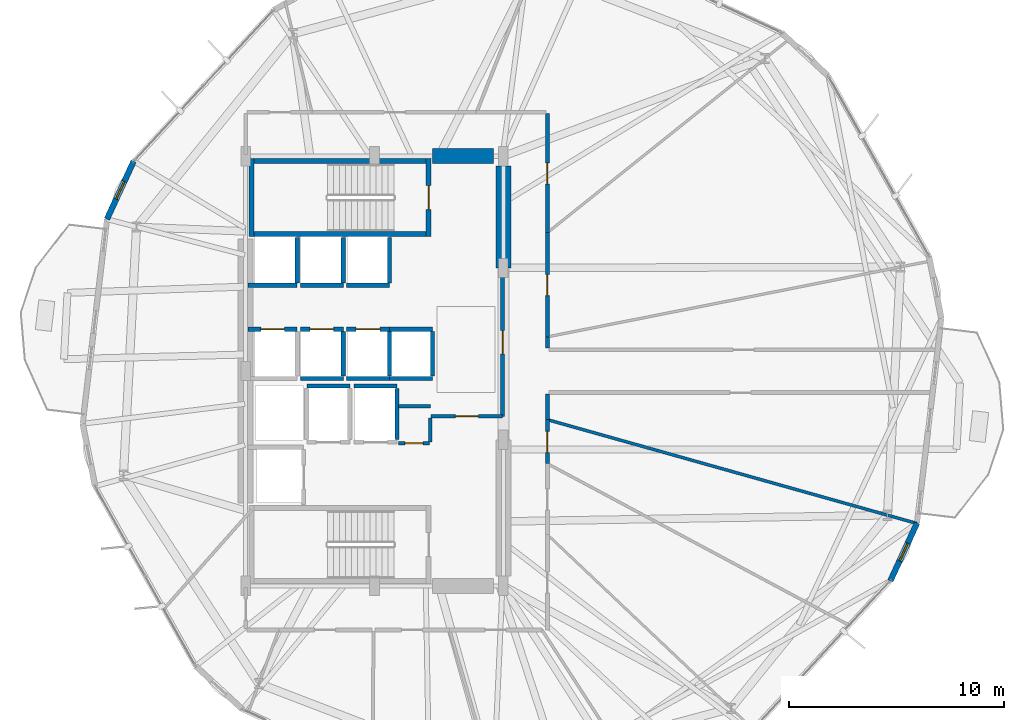
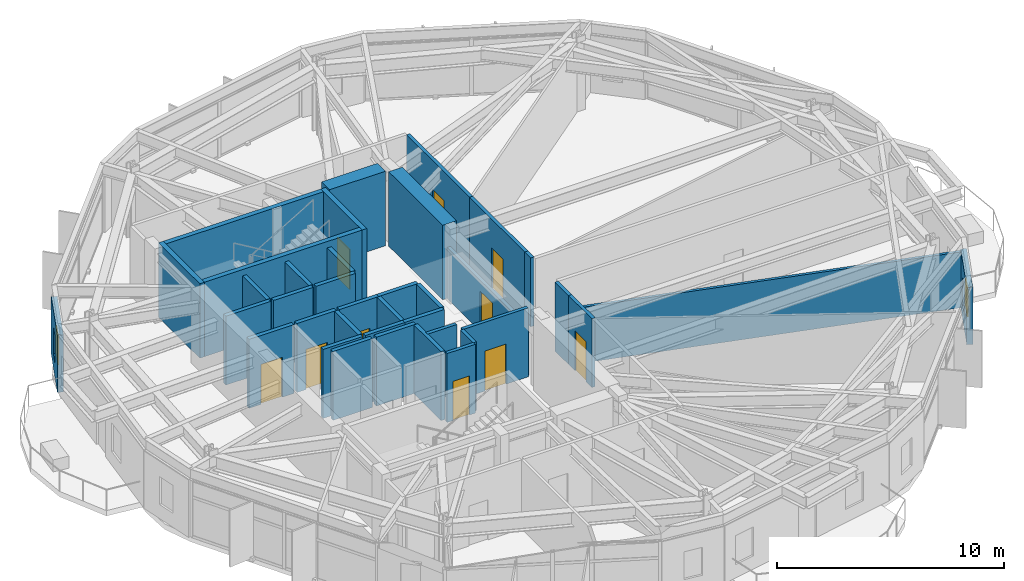
# One storey, part 18 of 22: 38 walls, 10 doors, 2 windows, 12 openings.
"""IFC4 building model written with IfcOpenShell, lengths in metres."""

from ifc_helpers import new_model, si_unit, direction, frame, frame_2d, origin, place, context, subcontext, project, spatial, rectangle, extrude, material, layer, layer_set, type_object, element, fill, save


model = new_model("IFC4")

# Units and contexts
model_context = context("Model", 3, precision=1e-05, world=origin(), true_north=direction((0.0, 1.0)))
body_context = subcontext(model_context, "Body", "Model", "MODEL_VIEW")
ifc_project = project(units=[si_unit("LENGTHUNIT", "METRE"), si_unit("AREAUNIT", "SQUARE_METRE"), si_unit("VOLUMEUNIT", "CUBIC_METRE"), si_unit("PLANEANGLEUNIT", "RADIAN"), si_unit("MASSUNIT", "GRAM", prefix="KILO")], contexts=[model_context])

# Site, building, storey
site_placement = place(None, origin())
site = spatial("IfcSite", under=ifc_project, at=site_placement, CompositionType="ELEMENT")
building_placement = place(site_placement, origin())
building = spatial("IfcBuilding", under=site, at=building_placement, Name="Soratama Intermodal Tower", CompositionType="ELEMENT")
storey_placement = place(building_placement, frame((0.0, 0.0, 70.60009765625)))
storey = spatial("IfcBuildingStorey", under=building, at=storey_placement, Name="L16", CompositionType="ELEMENT", Elevation=70.60009765625)

# Wall, opening, window
ifc_material_1 = material(Name="Concrete f'c 42 MPa", Category="concrete")
ifc_layer_1 = layer(ifc_material_1, 0.27001953125)
ifc_layer_set_1 = layer_set([ifc_layer_1], Name="Concrete f'c 42 MPa")
wall_type_1 = type_object("IfcWallType", Name="EW-CRN-270", PredefinedType="SOLIDWALL", material=ifc_layer_set_1)
wall_1_placement = place(storey_placement, frame((27.38916015625, 34.763671875, 0.0), z_axis=(0.0, 0.0, 1.0), x_axis=(-0.419146897393, -0.907918431582, 0.0)))
wall_1 = element("IfcWall", 1, at=wall_1_placement, inside=storey, type_object=wall_type_1, Name="L16 Corner Closure Wall 04", PredefinedType="SOLIDWALL", context=body_context, shape_type="SweptSolid", body=[
    extrude(rectangle(XDim=2.966552734375, YDim=0.27001953125, at=frame_2d((1.4833984375, 0.0))), origin(), (0.0, 0.0, 1.0), 3.078857421875),
])
opening_1_placement = place(wall_1_placement, frame((1.033203125, 0.0, 0.75)))
opening_1 = element("IfcOpeningElement", 2, at=opening_1_placement, cuts=wall_1, Name="Opening WN-6", PredefinedType="OPENING", context=body_context, shape_type="SweptSolid", body=[
    extrude(rectangle(XDim=0.89990234375, YDim=1.5, at=frame_2d((0.449951171875, 0.75))), frame((0.0, 0.14501953125, 0.0), z_axis=(0.0, -1.0, 0.0), x_axis=(1.0, 0.0, 0.0)), (0.0, 0.0, 1.0), 0.2900390625),
])
ifc_material_2 = material(Name="Double-glazed aluminium window", Category="aluminium")
window_type = type_object("IfcWindowType", Name="WN-FAC-900", PartitioningType="SINGLE_PANEL", PredefinedType="WINDOW", material=ifc_material_2)
window_1_placement = place(opening_1_placement, origin())
window_1 = element("IfcWindow", 3, at=window_1_placement, inside=storey, type_object=window_type, Name="L16 Corner Window 04", OverallHeight=1.5, OverallWidth=0.89990234375, PartitioningType="SINGLE_PANEL", PredefinedType="WINDOW", context=body_context, shape_type="SweptSolid", body=[
    extrude(rectangle(XDim=0.89990234375, YDim=1.5, at=frame_2d((0.449951171875, 0.75))), frame((0.0, 0.030029296875, 0.0), z_axis=(0.0, -1.0, 0.0), x_axis=(1.0, 0.0, 0.0)), (0.0, 0.0, 1.0), 0.06005859375),
])
fill(opening_1, window_1)

wall_2_placement = place(storey_placement, frame((62.61083984375, 15.236328125, 0.0), z_axis=(0.0, 0.0, 1.0), x_axis=(0.419146897393, 0.907918431582, 0.0)))
wall_2 = element("IfcWall", 4, at=wall_2_placement, inside=storey, type_object=wall_type_1, Name="L16 Corner Closure Wall 09", PredefinedType="SOLIDWALL", context=body_context, shape_type="SweptSolid", body=[
    extrude(rectangle(XDim=2.966552734375, YDim=0.27001953125, at=frame_2d((1.4833984375, 0.0))), origin(), (0.0, 0.0, 1.0), 3.078857421875),
])
opening_2_placement = place(wall_2_placement, frame((1.033203125, 0.0, 0.75)))
opening_2 = element("IfcOpeningElement", 5, at=opening_2_placement, cuts=wall_2, Name="Opening WN-6", PredefinedType="OPENING", context=body_context, shape_type="SweptSolid", body=[
    extrude(rectangle(XDim=0.89990234375, YDim=1.5, at=frame_2d((0.449951171875, 0.75))), frame((0.0, 0.14501953125, 0.0), z_axis=(0.0, -1.0, 0.0), x_axis=(1.0, 0.0, 0.0)), (0.0, 0.0, 1.0), 0.2900390625),
])
window_2_placement = place(opening_2_placement, origin())
window_2 = element("IfcWindow", 6, at=window_2_placement, inside=storey, type_object=window_type, Name="L16 Corner Window 09", OverallHeight=1.5, OverallWidth=0.89990234375, PartitioningType="SINGLE_PANEL", PredefinedType="WINDOW", context=body_context, shape_type="SweptSolid", body=[
    extrude(rectangle(XDim=0.89990234375, YDim=1.5, at=frame_2d((0.449951171875, 0.75))), frame((0.0, 0.030029296875, 0.0), z_axis=(0.0, -1.0, 0.0), x_axis=(1.0, 0.0, 0.0)), (0.0, 0.0, 1.0), 0.06005859375),
])
fill(opening_2, window_2)

# Wall, opening, door
ifc_material_3 = material(Name="Fire-rated gypsum stud partition", Category="concrete")
ifc_layer_2 = layer(ifc_material_3, 0.169921875)
ifc_layer_set_2 = layer_set([ifc_layer_2], Name="Fire-rated gypsum stud partition")
wall_type_2 = type_object("IfcWallType", Name="IW-PART-R170", PredefinedType="PARTITIONING", material=ifc_layer_set_2)
wall_3_placement = place(storey_placement, frame((44.56005859375, 29.800048828125, 0.0), z_axis=(0.0, 0.0, 1.0), x_axis=(0.0, -1.0, 0.0)))
wall_3 = element("IfcWall", 7, at=wall_3_placement, inside=storey, type_object=wall_type_2, Name="L16 Partition W-L16-TP012", PredefinedType="PARTITIONING", context=body_context, shape_type="SweptSolid", body=[
    extrude(rectangle(XDim=6.91015625, YDim=0.169921875, at=frame_2d((3.455078125, 0.0))), origin(), (0.0, 0.0, 1.0), 2.739990234375),
])
opening_3_placement = place(wall_3_placement, frame((2.9150390625, 0.0, 0.0)))
opening_3 = element("IfcOpeningElement", 8, at=opening_3_placement, cuts=wall_3, Name="Opening ID-1", PredefinedType="OPENING", context=body_context, shape_type="SweptSolid", body=[
    extrude(rectangle(XDim=1.080078125, YDim=2.14990234375, at=frame_2d((0.5400390625, 1.074951171875))), frame((0.0, 0.094970703125, 0.0), z_axis=(0.0, -1.0, 0.0), x_axis=(1.0, 0.0, 0.0)), (0.0, 0.0, 1.0), 0.18994140625),
])
ifc_material_4 = material(Name="Solid hardwood acoustic door", Category="wood")
door_type_1 = type_object("IfcDoorType", Name="DR-LOB-FD60", OperationType="NOTDEFINED", PredefinedType="DOOR", material=ifc_material_4)
door_1_placement = place(opening_3_placement, origin())
door_1 = element("IfcDoor", 9, at=door_1_placement, inside=storey, type_object=door_type_1, Name="L16 Door D-L16-TP004", OperationType="SINGLE_SWING_LEFT", OverallHeight=2.14990234375, OverallWidth=1.080078125, PredefinedType="DOOR", context=body_context, shape_type="SweptSolid", body=[
    extrude(rectangle(XDim=1.080078125, YDim=2.14990234375, at=frame_2d((0.5400390625, 1.074951171875))), frame((0.0, 0.02490234375, 0.0), z_axis=(0.0, -1.0, 0.0), x_axis=(1.0, 0.0, 0.0)), (0.0, 0.0, 1.0), 0.050048828125),
])
fill(opening_3, door_1)

wall_4_placement = place(storey_placement, frame((46.64990234375, 36.97998046875, 0.0), z_axis=(0.0, 0.0, 1.0), x_axis=(0.0, -1.0, 0.0)))
wall_4 = element("IfcWall", 10, at=wall_4_placement, inside=storey, type_object=wall_type_2, Name="L16 Partition W-L16-TP015", PredefinedType="PARTITIONING", context=body_context, shape_type="SweptSolid", body=[
    extrude(rectangle(XDim=5.5380859375, YDim=0.169921875, at=frame_2d((2.76904296875, 0.0))), origin(), (0.0, 0.0, 1.0), 3.699951171875),
])
opening_4_placement = place(wall_4_placement, frame((2.2939453125, 0.0, 0.0)))
opening_4 = element("IfcOpeningElement", 11, at=opening_4_placement, cuts=wall_4, Name="Opening ID-5", PredefinedType="OPENING", context=body_context, shape_type="SweptSolid", body=[
    extrude(rectangle(XDim=0.97998046875, YDim=2.14990234375, at=frame_2d((0.489990234375, 1.074951171875))), frame((0.0, 0.094970703125, 0.0), z_axis=(0.0, -1.0, 0.0), x_axis=(1.0, 0.0, 0.0)), (0.0, 0.0, 1.0), 0.18994140625),
])
ifc_material_5 = material(Name="Solid hardwood acoustic door", Category="wood")
door_type_2 = type_object("IfcDoorType", Name="DR-OFF-980", OperationType="NOTDEFINED", PredefinedType="DOOR", material=ifc_material_5)
door_2_placement = place(opening_4_placement, origin())
door_2 = element("IfcDoor", 12, at=door_2_placement, inside=storey, type_object=door_type_2, Name="L16 Door D-L16-TP005", OperationType="SINGLE_SWING_RIGHT", OverallHeight=2.14990234375, OverallWidth=0.97998046875, PredefinedType="DOOR", context=body_context, shape_type="SweptSolid", body=[
    extrude(rectangle(XDim=0.97998046875, YDim=2.14990234375, at=frame_2d((0.489990234375, 1.074951171875))), frame((0.0, 0.02490234375, 0.0), z_axis=(0.0, -1.0, 0.0), x_axis=(1.0, 0.0, 0.0)), (0.0, 0.0, 1.0), 0.050048828125),
])
fill(opening_4, door_2)

wall_5_placement = place(storey_placement, frame((46.64990234375, 31.44189453125, 0.0), z_axis=(0.0, 0.0, 1.0), x_axis=(0.0, -1.0, 0.0)))
wall_5 = element("IfcWall", 13, at=wall_5_placement, inside=storey, type_object=wall_type_2, Name="L16 Partition W-L16-TP017", PredefinedType="PARTITIONING", context=body_context, shape_type="SweptSolid", body=[
    extrude(rectangle(XDim=4.848876953125, YDim=0.169921875, at=frame_2d((2.42431640625, 0.0))), origin(), (0.0, 0.0, 1.0), 3.699951171875),
])
opening_5_placement = place(wall_5_placement, frame((1.949951171875, 0.0, 0.0)))
opening_5 = element("IfcOpeningElement", 14, at=opening_5_placement, cuts=wall_5, Name="Opening ID-5", PredefinedType="OPENING", context=body_context, shape_type="SweptSolid", body=[
    extrude(rectangle(XDim=0.97998046875, YDim=2.14990234375, at=frame_2d((0.489990234375, 1.074951171875))), frame((0.0, 0.094970703125, 0.0), z_axis=(0.0, -1.0, 0.0), x_axis=(1.0, 0.0, 0.0)), (0.0, 0.0, 1.0), 0.18994140625),
])
door_3_placement = place(opening_5_placement, origin())
door_3 = element("IfcDoor", 15, at=door_3_placement, inside=storey, type_object=door_type_2, Name="L16 Door D-L16-TP006", OperationType="SINGLE_SWING_LEFT", OverallHeight=2.14990234375, OverallWidth=0.97998046875, PredefinedType="DOOR", context=body_context, shape_type="SweptSolid", body=[
    extrude(rectangle(XDim=0.97998046875, YDim=2.14990234375, at=frame_2d((0.489990234375, 1.074951171875))), frame((0.0, 0.02490234375, 0.0), z_axis=(0.0, -1.0, 0.0), x_axis=(1.0, 0.0, 0.0)), (0.0, 0.0, 1.0), 0.050048828125),
])
fill(opening_5, door_3)

wall_6_placement = place(storey_placement, frame((41.239990234375, 22.889892578125, 0.0), z_axis=(0.0, 0.0, 1.0), x_axis=(1.0, 0.0, 0.0)))
wall_6 = element("IfcWall", 16, at=wall_6_placement, inside=storey, type_object=wall_type_2, Name="L16 Partition W-L16-TP023", PredefinedType="PARTITIONING", context=body_context, shape_type="SweptSolid", body=[
    extrude(rectangle(XDim=3.320068359375, YDim=0.169921875, at=frame_2d((1.66015625, 0.0))), origin(), (0.0, 0.0, 1.0), 3.699951171875),
])
opening_6_placement = place(wall_6_placement, frame((1.1201171875, 0.0, 0.0)))
opening_6 = element("IfcOpeningElement", 17, at=opening_6_placement, cuts=wall_6, Name="Opening ID-0", PredefinedType="OPENING", context=body_context, shape_type="SweptSolid", body=[
    extrude(rectangle(XDim=1.080078125, YDim=2.14990234375, at=frame_2d((0.5400390625, 1.074951171875))), frame((0.0, 0.094970703125, 0.0), z_axis=(0.0, -1.0, 0.0), x_axis=(1.0, 0.0, 0.0)), (0.0, 0.0, 1.0), 0.18994140625),
])
ifc_material_6 = material(Name="Solid hardwood acoustic door", Category="wood")
door_type_3 = type_object("IfcDoorType", Name="DR-LOB-FD90", OperationType="NOTDEFINED", PredefinedType="DOOR", material=ifc_material_6)
door_4_placement = place(opening_6_placement, origin())
door_4 = element("IfcDoor", 18, at=door_4_placement, inside=storey, type_object=door_type_3, Name="L16 Door D-L16-TP011", OperationType="SINGLE_SWING_RIGHT", OverallHeight=2.14990234375, OverallWidth=1.080078125, PredefinedType="DOOR", context=body_context, shape_type="SweptSolid", body=[
    extrude(rectangle(XDim=1.080078125, YDim=2.14990234375, at=frame_2d((0.5400390625, 1.074951171875))), frame((0.0, 0.02490234375, 0.0), z_axis=(0.0, -1.0, 0.0), x_axis=(1.0, 0.0, 0.0)), (0.0, 0.0, 1.0), 0.050048828125),
])
fill(opening_6, door_4)

wall_7_placement = place(storey_placement, frame((46.64990234375, 22.738037109375, 0.0), z_axis=(0.0, 0.0, 1.0), x_axis=(0.0, -1.0, 0.0)))
wall_7 = element("IfcWall", 19, at=wall_7_placement, inside=storey, type_object=wall_type_2, Name="L16 Partition W-L16-TP027", PredefinedType="PARTITIONING", context=body_context, shape_type="SweptSolid", body=[
    extrude(rectangle(XDim=2.049072265625, YDim=0.169921875, at=frame_2d((1.0244140625, 0.0))), origin(), (0.0, 0.0, 1.0), 3.699951171875),
])
opening_7_placement = place(wall_7_placement, frame((0.549072265625, 0.0, 0.0)))
opening_7 = element("IfcOpeningElement", 20, at=opening_7_placement, cuts=wall_7, Name="Opening ID-5", PredefinedType="OPENING", context=body_context, shape_type="SweptSolid", body=[
    extrude(rectangle(XDim=0.97998046875, YDim=2.14990234375, at=frame_2d((0.489990234375, 1.074951171875))), frame((0.0, 0.094970703125, 0.0), z_axis=(0.0, -1.0, 0.0), x_axis=(1.0, 0.0, 0.0)), (0.0, 0.0, 1.0), 0.18994140625),
])
door_5_placement = place(opening_7_placement, origin())
door_5 = element("IfcDoor", 21, at=door_5_placement, inside=storey, type_object=door_type_2, Name="L16 Door D-L16-TP014", OperationType="SINGLE_SWING_LEFT", OverallHeight=2.14990234375, OverallWidth=0.97998046875, PredefinedType="DOOR", context=body_context, shape_type="SweptSolid", body=[
    extrude(rectangle(XDim=0.97998046875, YDim=2.14990234375, at=frame_2d((0.489990234375, 1.074951171875))), frame((0.0, 0.02490234375, 0.0), z_axis=(0.0, -1.0, 0.0), x_axis=(1.0, 0.0, 0.0)), (0.0, 0.0, 1.0), 0.050048828125),
])
fill(opening_7, door_5)

wall_8_placement = place(storey_placement, frame((39.719970703125, 21.639892578125, 0.0), z_axis=(0.0, 0.0, 1.0), x_axis=(1.0, 0.0, 0.0)))
wall_8 = element("IfcWall", 22, at=wall_8_placement, inside=storey, type_object=wall_type_2, Name="L16 Partition W-L16-TP031", PredefinedType="PARTITIONING", context=body_context, shape_type="SweptSolid", body=[
    extrude(rectangle(XDim=1.43994140625, YDim=0.169921875, at=frame_2d((0.719970703125, 0.0))), origin(), (0.0, 0.0, 1.0), 3.699951171875),
])
opening_8_placement = place(wall_8_placement, frame((0.294921875, 0.0, 0.0)))
opening_8 = element("IfcOpeningElement", 23, at=opening_8_placement, cuts=wall_8, Name="Opening ID-4", PredefinedType="OPENING", context=body_context, shape_type="SweptSolid", body=[
    extrude(rectangle(XDim=0.85009765625, YDim=2.10009765625, at=frame_2d((0.425048828125, 1.050048828125))), frame((0.0, 0.094970703125, 0.0), z_axis=(0.0, -1.0, 0.0), x_axis=(1.0, 0.0, 0.0)), (0.0, 0.0, 1.0), 0.18994140625),
])
ifc_material_7 = material(Name="Solid hardwood acoustic door", Category="wood")
door_type_4 = type_object("IfcDoorType", Name="DR-BATH-850", OperationType="NOTDEFINED", PredefinedType="DOOR", material=ifc_material_7)
door_6_placement = place(opening_8_placement, origin())
door_6 = element("IfcDoor", 24, at=door_6_placement, inside=storey, type_object=door_type_4, Name="L16 Door D-L16-TP016", OperationType="SINGLE_SWING_LEFT", OverallHeight=2.10009765625, OverallWidth=0.85009765625, PredefinedType="DOOR", context=body_context, shape_type="SweptSolid", body=[
    extrude(rectangle(XDim=0.85009765625, YDim=2.10009765625, at=frame_2d((0.425048828125, 1.050048828125))), frame((0.0, 0.02490234375, 0.0), z_axis=(0.0, -1.0, 0.0), x_axis=(1.0, 0.0, 0.0)), (0.0, 0.0, 1.0), 0.050048828125),
])
fill(opening_8, door_6)

# Walls
wall_9_placement = place(storey_placement, frame((46.64990234375, 23.929931640625, 0.0), z_axis=(0.0, 0.0, 1.0), x_axis=(0.0, -1.0, 0.0)))
element("IfcWall", 25, at=wall_9_placement, inside=storey, type_object=wall_type_2, Name="L16 Partition W-L16-TP032", PredefinedType="PARTITIONING", context=body_context, shape_type="SweptSolid", body=[
    extrude(rectangle(XDim=1.19189453125, YDim=0.169921875, at=frame_2d((0.595947265625, 0.0))), origin(), (0.0, 0.0, 1.0), 3.699951171875),
])
wall_10_placement = place(storey_placement, frame((41.199951171875, 21.699951171875, 0.0), z_axis=(0.0, 0.0, 1.0), x_axis=(0.0, 1.0, 0.0)))
element("IfcWall", 26, at=wall_10_placement, inside=storey, type_object=wall_type_2, Name="L16 Partition W-L16-TP033", PredefinedType="PARTITIONING", context=body_context, shape_type="SweptSolid", body=[
    extrude(rectangle(XDim=1.1201171875, YDim=0.169921875, at=frame_2d((0.56005859375, 0.0))), origin(), (0.0, 0.0, 1.0), 3.699951171875),
])
wall_11_placement = place(storey_placement, frame((46.64990234375, 26.593017578125, 0.0), z_axis=(0.0, 0.0, 1.0), x_axis=(0.0, -1.0, 0.0)))
element("IfcWall", 27, at=wall_11_placement, inside=storey, type_object=wall_type_2, Name="L16 Partition W-L16-TP034", PredefinedType="PARTITIONING", context=body_context, shape_type="SweptSolid", body=[
    extrude(rectangle(XDim=0.52294921875, YDim=0.169921875, at=frame_2d((0.261474609375, 0.0))), origin(), (0.0, 0.0, 1.0), 3.699951171875),
])
wall_12_placement = place(storey_placement, frame((41.199951171875, 23.360107421875, 0.0), z_axis=(0.0, 0.0, 1.0), x_axis=(-1.0, 0.0, 0.0)))
element("IfcWall", 28, at=wall_12_placement, inside=storey, type_object=wall_type_2, Name="L16 Partition W-L16-TP035", PredefinedType="PARTITIONING", context=body_context, shape_type="SweptSolid", body=[
    extrude(rectangle(XDim=1.47998046875, YDim=0.169921875, at=frame_2d((0.739990234375, 0.0))), origin(), (0.0, 0.0, 1.0), 3.699951171875),
])
ifc_material_8 = material(Name="Fire-rated gypsum stud partition", Category="concrete")
ifc_layer_3 = layer(ifc_material_8, 0.139892578125)
ifc_layer_set_3 = layer_set([ifc_layer_3], Name="Fire-rated gypsum stud partition")
wall_type_3 = type_object("IfcWallType", Name="IW-PART-S140", PredefinedType="PARTITIONING", material=ifc_layer_set_3)
wall_13_placement = place(storey_placement, frame((46.64990234375, 22.738037109375, 0.0), z_axis=(0.0, 0.0, 1.0), x_axis=(0.96273671491, -0.270440414443, 0.0)))
element("IfcWall", 29, at=wall_13_placement, inside=storey, type_object=wall_type_3, Name="L16 Partition W-L16-TP003", PredefinedType="PARTITIONING", context=body_context, shape_type="SweptSolid", body=[
    extrude(rectangle(XDim=17.86376953125, YDim=0.139892578125, at=frame_2d((8.931884765625, 0.0))), origin(), (0.0, 0.0, 1.0), 2.994873046875),
])
ifc_material_9 = material(Name="Concrete f'c 42 MPa", Category="concrete")
ifc_layer_4 = layer(ifc_material_9, 0.199951171875)
ifc_layer_set_4 = layer_set([ifc_layer_4], Name="Concrete f'c 42 MPa")
wall_type_4 = type_object("IfcWallType", Name="IW-SHAFT-200", PredefinedType="SOLIDWALL", material=ifc_layer_set_4)
for number, where, z_axis, x_axis, name in (
    (30, (35.449951171875, 24.300048828125, 0.0), (0.0, 0.0, 1.0), (1.0, 0.0, 0.0), "L16 FFL-1 Hoistway Wall N"),
    (31, (37.64990234375, 24.300048828125, 0.0), (0.0, 0.0, 1.0), (1.0, 0.0, 0.0), "L16 FFL-2 Hoistway Wall N"),
):
    element("IfcWall", number, at=place(storey_placement, frame(where, z_axis=z_axis, x_axis=x_axis)), inside=storey, type_object=wall_type_4, Name=name, PredefinedType="SOLIDWALL", context=body_context, shape_type="SweptSolid", body=[
        extrude(rectangle(XDim=2.0, YDim=0.199951171875, at=frame_2d((1.0, 0.0))), origin(), (0.0, 0.0, 1.0), 3.699951171875),
    ])
wall_14_placement = place(storey_placement, frame((39.64990234375, 21.81005859375, 0.0), z_axis=(0.0, 0.0, 1.0), x_axis=(0.0, 1.0, 0.0)))
element("IfcWall", 32, at=wall_14_placement, inside=storey, type_object=wall_type_4, Name="L16 FFL-2 Hoistway Wall E", PredefinedType="SOLIDWALL", context=body_context, shape_type="SweptSolid", body=[
    extrude(rectangle(XDim=2.3798828125, YDim=0.199951171875, at=frame_2d((1.18994140625, 0.0))), origin(), (0.0, 0.0, 1.0), 3.699951171875),
])

# Wall, opening, door
wall_15_placement = place(storey_placement, frame((32.719970703125, 26.949951171875, 0.0), z_axis=(0.0, 0.0, 1.0), x_axis=(1.0, 0.0, 0.0)))
wall_15 = element("IfcWall", 33, at=wall_15_placement, inside=storey, type_object=wall_type_4, Name="L16 PL-L1 Hoistway Wall N", PredefinedType="SOLIDWALL", context=body_context, shape_type="SweptSolid", body=[
    extrude(rectangle(XDim=2.280029296875, YDim=0.199951171875, at=frame_2d((1.14013671875, 0.0))), origin(), (0.0, 0.0, 1.0), 3.699951171875),
])
opening_9_placement = place(wall_15_placement, frame((0.590087890625, 0.0, 0.0)))
opening_9 = element("IfcOpeningElement", 34, at=opening_9_placement, cuts=wall_15, Name="Opening LD-1", PredefinedType="OPENING", context=body_context, shape_type="SweptSolid", body=[
    extrude(rectangle(XDim=1.10009765625, YDim=2.14990234375, at=frame_2d((0.550048828125, 1.074951171875))), frame((0.0, 0.10986328125, 0.0), z_axis=(0.0, -1.0, 0.0), x_axis=(1.0, 0.0, 0.0)), (0.0, 0.0, 1.0), 0.219970703125),
])
ifc_material_10 = material(Name="Steel fire door", Category="steel")
door_type_5 = type_object("IfcDoorType", Name="DR-LIFT-SLIDE", OperationType="NOTDEFINED", PredefinedType="DOOR", material=ifc_material_10)
door_7_placement = place(opening_9_placement, origin())
door_7 = element("IfcDoor", 35, at=door_7_placement, inside=storey, type_object=door_type_5, Name="L16 PL-L1 Sliding Landing Door", OperationType="SLIDING_TO_LEFT", OverallHeight=2.14990234375, OverallWidth=1.10009765625, PredefinedType="DOOR", context=body_context, shape_type="SweptSolid", body=[
    extrude(rectangle(XDim=1.10009765625, YDim=2.14990234375, at=frame_2d((0.550048828125, 1.074951171875))), frame((0.0, 0.02490234375, 0.0), z_axis=(0.0, -1.0, 0.0), x_axis=(1.0, 0.0, 0.0)), (0.0, 0.0, 1.0), 0.050048828125),
])
fill(opening_9, door_7)

# Wall
wall_16_placement = place(storey_placement, frame((35.14990234375, 24.64990234375, 0.0), z_axis=(0.0, 0.0, 1.0), x_axis=(1.0, 0.0, 0.0)))
element("IfcWall", 36, at=wall_16_placement, inside=storey, type_object=wall_type_4, Name="L16 PL-L2 Hoistway Wall S", PredefinedType="SOLIDWALL", context=body_context, shape_type="SweptSolid", body=[
    extrude(rectangle(XDim=2.0, YDim=0.199951171875, at=frame_2d((1.0, 0.0))), origin(), (0.0, 0.0, 1.0), 3.699951171875),
])

# Wall, opening, door
wall_17_placement = place(storey_placement, frame((35.14990234375, 26.949951171875, 0.0), z_axis=(0.0, 0.0, 1.0), x_axis=(1.0, 0.0, 0.0)))
wall_17 = element("IfcWall", 37, at=wall_17_placement, inside=storey, type_object=wall_type_4, Name="L16 PL-L2 Hoistway Wall N", PredefinedType="SOLIDWALL", context=body_context, shape_type="SweptSolid", body=[
    extrude(rectangle(XDim=2.0, YDim=0.199951171875, at=frame_2d((1.0, 0.0))), origin(), (0.0, 0.0, 1.0), 3.699951171875),
])
opening_10_placement = place(wall_17_placement, frame((0.449951171875, 0.0, 0.0)))
opening_10 = element("IfcOpeningElement", 38, at=opening_10_placement, cuts=wall_17, Name="Opening LD-1", PredefinedType="OPENING", context=body_context, shape_type="SweptSolid", body=[
    extrude(rectangle(XDim=1.10009765625, YDim=2.14990234375, at=frame_2d((0.550048828125, 1.074951171875))), frame((0.0, 0.10986328125, 0.0), z_axis=(0.0, -1.0, 0.0), x_axis=(1.0, 0.0, 0.0)), (0.0, 0.0, 1.0), 0.219970703125),
])
door_8_placement = place(opening_10_placement, origin())
door_8 = element("IfcDoor", 39, at=door_8_placement, inside=storey, type_object=door_type_5, Name="L16 PL-L2 Sliding Landing Door", OperationType="SLIDING_TO_LEFT", OverallHeight=2.14990234375, OverallWidth=1.10009765625, PredefinedType="DOOR", context=body_context, shape_type="SweptSolid", body=[
    extrude(rectangle(XDim=1.10009765625, YDim=2.14990234375, at=frame_2d((0.550048828125, 1.074951171875))), frame((0.0, 0.02490234375, 0.0), z_axis=(0.0, -1.0, 0.0), x_axis=(1.0, 0.0, 0.0)), (0.0, 0.0, 1.0), 0.050048828125),
])
fill(opening_10, door_8)

# Walls
wall_18_placement = place(storey_placement, frame((37.14990234375, 24.760009765625, 0.0), z_axis=(0.0, 0.0, 1.0), x_axis=(0.0, 1.0, 0.0)))
element("IfcWall", 40, at=wall_18_placement, inside=storey, type_object=wall_type_4, Name="L16 PL-L2 Hoistway Wall E", PredefinedType="SOLIDWALL", context=body_context, shape_type="SweptSolid", body=[
    extrude(rectangle(XDim=2.080078125, YDim=0.199951171875, at=frame_2d((1.0400390625, 0.0))), origin(), (0.0, 0.0, 1.0), 3.699951171875),
])
wall_19_placement = place(storey_placement, frame((37.300048828125, 24.64990234375, 0.0), z_axis=(0.0, 0.0, 1.0), x_axis=(1.0, 0.0, 0.0)))
element("IfcWall", 41, at=wall_19_placement, inside=storey, type_object=wall_type_4, Name="L16 PL-L3 Hoistway Wall S", PredefinedType="SOLIDWALL", context=body_context, shape_type="SweptSolid", body=[
    extrude(rectangle(XDim=2.0, YDim=0.199951171875, at=frame_2d((1.0, 0.0))), origin(), (0.0, 0.0, 1.0), 3.699951171875),
])

# Wall, opening, door
wall_20_placement = place(storey_placement, frame((37.300048828125, 26.949951171875, 0.0), z_axis=(0.0, 0.0, 1.0), x_axis=(1.0, 0.0, 0.0)))
wall_20 = element("IfcWall", 42, at=wall_20_placement, inside=storey, type_object=wall_type_4, Name="L16 PL-L3 Hoistway Wall N", PredefinedType="SOLIDWALL", context=body_context, shape_type="SweptSolid", body=[
    extrude(rectangle(XDim=2.0, YDim=0.199951171875, at=frame_2d((1.0, 0.0))), origin(), (0.0, 0.0, 1.0), 3.699951171875),
])
opening_11_placement = place(wall_20_placement, frame((0.449951171875, 0.0, 0.0)))
opening_11 = element("IfcOpeningElement", 43, at=opening_11_placement, cuts=wall_20, Name="Opening LD-1", PredefinedType="OPENING", context=body_context, shape_type="SweptSolid", body=[
    extrude(rectangle(XDim=1.10009765625, YDim=2.14990234375, at=frame_2d((0.550048828125, 1.074951171875))), frame((0.0, 0.10986328125, 0.0), z_axis=(0.0, -1.0, 0.0), x_axis=(1.0, 0.0, 0.0)), (0.0, 0.0, 1.0), 0.219970703125),
])
door_9_placement = place(opening_11_placement, origin())
door_9 = element("IfcDoor", 44, at=door_9_placement, inside=storey, type_object=door_type_5, Name="L16 PL-L3 Sliding Landing Door", OperationType="SLIDING_TO_LEFT", OverallHeight=2.14990234375, OverallWidth=1.10009765625, PredefinedType="DOOR", context=body_context, shape_type="SweptSolid", body=[
    extrude(rectangle(XDim=1.10009765625, YDim=2.14990234375, at=frame_2d((0.550048828125, 1.074951171875))), frame((0.0, 0.02490234375, 0.0), z_axis=(0.0, -1.0, 0.0), x_axis=(1.0, 0.0, 0.0)), (0.0, 0.0, 1.0), 0.050048828125),
])
fill(opening_11, door_9)

# Walls
wall_21_placement = place(storey_placement, frame((39.300048828125, 24.760009765625, 0.0), z_axis=(0.0, 0.0, 1.0), x_axis=(0.0, 1.0, 0.0)))
element("IfcWall", 45, at=wall_21_placement, inside=storey, type_object=wall_type_4, Name="L16 PL-L3 Hoistway Wall E", PredefinedType="SOLIDWALL", context=body_context, shape_type="SweptSolid", body=[
    extrude(rectangle(XDim=2.080078125, YDim=0.199951171875, at=frame_2d((1.0400390625, 0.0))), origin(), (0.0, 0.0, 1.0), 3.699951171875),
])
for number, where, z_axis, x_axis, name in (
    (46, (39.300048828125, 24.64990234375, 0.0), (0.0, 0.0, 1.0), (1.0, 0.0, 0.0), "L16 PL-M1 Hoistway Wall S"),
    (47, (39.300048828125, 26.949951171875, 0.0), (0.0, 0.0, 1.0), (1.0, 0.0, 0.0), "L16 PL-M1 Hoistway Wall N"),
):
    element("IfcWall", number, at=place(storey_placement, frame(where, z_axis=z_axis, x_axis=x_axis)), inside=storey, type_object=wall_type_4, Name=name, PredefinedType="SOLIDWALL", context=body_context, shape_type="SweptSolid", body=[
        extrude(rectangle(XDim=2.0, YDim=0.199951171875, at=frame_2d((1.0, 0.0))), origin(), (0.0, 0.0, 1.0), 3.699951171875),
    ])
wall_22_placement = place(storey_placement, frame((41.300048828125, 24.760009765625, 0.0), z_axis=(0.0, 0.0, 1.0), x_axis=(0.0, 1.0, 0.0)))
element("IfcWall", 48, at=wall_22_placement, inside=storey, type_object=wall_type_4, Name="L16 PL-M1 Hoistway Wall E", PredefinedType="SOLIDWALL", context=body_context, shape_type="SweptSolid", body=[
    extrude(rectangle(XDim=2.080078125, YDim=0.199951171875, at=frame_2d((1.0400390625, 0.0))), origin(), (0.0, 0.0, 1.0), 3.699951171875),
])
wall_23_placement = place(storey_placement, frame((32.719970703125, 29.0, 0.0), z_axis=(0.0, 0.0, 1.0), x_axis=(1.0, 0.0, 0.0)))
element("IfcWall", 49, at=wall_23_placement, inside=storey, type_object=wall_type_4, Name="L16 PL-M2 Hoistway Wall S", PredefinedType="SOLIDWALL", context=body_context, shape_type="SweptSolid", body=[
    extrude(rectangle(XDim=2.280029296875, YDim=0.199951171875, at=frame_2d((1.14013671875, 0.0))), origin(), (0.0, 0.0, 1.0), 3.699951171875),
])
wall_24_placement = place(storey_placement, frame((35.0, 29.110107421875, 0.0), z_axis=(0.0, 0.0, 1.0), x_axis=(0.0, 1.0, 0.0)))
element("IfcWall", 50, at=wall_24_placement, inside=storey, type_object=wall_type_4, Name="L16 PL-M2 Hoistway Wall E", PredefinedType="SOLIDWALL", context=body_context, shape_type="SweptSolid", body=[
    extrude(rectangle(XDim=2.099853515625, YDim=0.199951171875, at=frame_2d((1.0498046875, 0.0))), origin(), (0.0, 0.0, 1.0), 3.699951171875),
])
wall_25_placement = place(storey_placement, frame((35.14990234375, 29.0, 0.0), z_axis=(0.0, 0.0, 1.0), x_axis=(1.0, 0.0, 0.0)))
element("IfcWall", 51, at=wall_25_placement, inside=storey, type_object=wall_type_4, Name="L16 PL-H1 Hoistway Wall S", PredefinedType="SOLIDWALL", context=body_context, shape_type="SweptSolid", body=[
    extrude(rectangle(XDim=2.0, YDim=0.199951171875, at=frame_2d((1.0, 0.0))), origin(), (0.0, 0.0, 1.0), 3.699951171875),
])
wall_26_placement = place(storey_placement, frame((37.14990234375, 29.110107421875, 0.0), z_axis=(0.0, 0.0, 1.0), x_axis=(0.0, 1.0, 0.0)))
element("IfcWall", 52, at=wall_26_placement, inside=storey, type_object=wall_type_4, Name="L16 PL-H1 Hoistway Wall E", PredefinedType="SOLIDWALL", context=body_context, shape_type="SweptSolid", body=[
    extrude(rectangle(XDim=2.099853515625, YDim=0.199951171875, at=frame_2d((1.0498046875, 0.0))), origin(), (0.0, 0.0, 1.0), 3.699951171875),
])
wall_27_placement = place(storey_placement, frame((37.300048828125, 29.0, 0.0), z_axis=(0.0, 0.0, 1.0), x_axis=(1.0, 0.0, 0.0)))
element("IfcWall", 53, at=wall_27_placement, inside=storey, type_object=wall_type_4, Name="L16 PL-H2 Hoistway Wall S", PredefinedType="SOLIDWALL", context=body_context, shape_type="SweptSolid", body=[
    extrude(rectangle(XDim=2.0, YDim=0.199951171875, at=frame_2d((1.0, 0.0))), origin(), (0.0, 0.0, 1.0), 3.699951171875),
])
wall_28_placement = place(storey_placement, frame((39.300048828125, 29.110107421875, 0.0), z_axis=(0.0, 0.0, 1.0), x_axis=(0.0, 1.0, 0.0)))
element("IfcWall", 54, at=wall_28_placement, inside=storey, type_object=wall_type_4, Name="L16 PL-H2 Hoistway Wall E", PredefinedType="SOLIDWALL", context=body_context, shape_type="SweptSolid", body=[
    extrude(rectangle(XDim=2.099853515625, YDim=0.199951171875, at=frame_2d((1.0498046875, 0.0))), origin(), (0.0, 0.0, 1.0), 3.699951171875),
])
ifc_material_11 = material(Name="Concrete f'c 56 MPa", Category="concrete")
ifc_layer_5 = layer(ifc_material_11, 0.699951171875)
ifc_layer_set_5 = layer_set([ifc_layer_5], Name="Concrete f'c 56 MPa")
wall_type_5 = type_object("IfcWallType", Name="SW-CORE-700", PredefinedType="SHEAR", material=ifc_layer_set_5)
wall_29_placement = place(storey_placement, frame((41.300048828125, 35.0, 0.0), z_axis=(0.0, 0.0, 1.0), x_axis=(1.0, 0.0, 0.0)))
element("IfcWall", 55, at=wall_29_placement, inside=storey, type_object=wall_type_5, Name="L16 Core Shear Wall CW-NE", PredefinedType="SHEAR", context=body_context, shape_type="SweptSolid", body=[
    extrude(rectangle(XDim=2.849853515625, YDim=0.699951171875, at=frame_2d((1.4248046875, 0.0))), origin(), (0.0, 0.0, 1.0), 4.0),
])
wall_30_placement = place(storey_placement, frame((44.60009765625, 29.800048828125, 0.0), z_axis=(0.0, 0.0, 1.0), x_axis=(0.0, 1.0, 0.0)))
element("IfcWall", 56, at=wall_30_placement, inside=storey, type_object=wall_type_5, Name="L16 Core Shear Wall CW-EN", PredefinedType="SHEAR", context=body_context, shape_type="SweptSolid", body=[
    extrude(rectangle(XDim=4.75, YDim=0.699951171875, at=frame_2d((2.375, 0.0))), origin(), (0.0, 0.0, 1.0), 4.0),
])
ifc_material_12 = material(Name="Concrete f'c 56 MPa", Category="concrete")
ifc_layer_6 = layer(ifc_material_12, 0.239990234375)
ifc_layer_set_6 = layer_set([ifc_layer_6], Name="Concrete f'c 56 MPa")
wall_type_6 = type_object("IfcWallType", Name="SW-STAIR-240", PredefinedType="SHEAR", material=ifc_layer_set_6)
wall_31_placement = place(storey_placement, frame((32.8798828125, 31.260009765625, 0.0), z_axis=(0.0, 0.0, 1.0), x_axis=(0.0, 1.0, 0.0)))
element("IfcWall", 57, at=wall_31_placement, inside=storey, type_object=wall_type_6, Name="L16 ST-2 Shaft Shear Wall W", PredefinedType="SHEAR", context=body_context, shape_type="SweptSolid", body=[
    extrude(rectangle(XDim=3.6298828125, YDim=0.239990234375, at=frame_2d((1.81494140625, 0.0))), origin(), (0.0, 0.0, 1.0), 4.0),
])

# Wall, opening, door
wall_32_placement = place(storey_placement, frame((41.1201171875, 31.260009765625, 0.0), z_axis=(0.0, 0.0, 1.0), x_axis=(0.0, 1.0, 0.0)))
wall_32 = element("IfcWall", 58, at=wall_32_placement, inside=storey, type_object=wall_type_6, Name="L16 ST-2 Shaft Shear Wall E", PredefinedType="SHEAR", context=body_context, shape_type="SweptSolid", body=[
    extrude(rectangle(XDim=3.6298828125, YDim=0.239990234375, at=frame_2d((1.81494140625, 0.0))), origin(), (0.0, 0.0, 1.0), 4.0),
])
opening_12_placement = place(wall_32_placement, frame((1.2548828125, 0.0, 0.0)))
opening_12 = element("IfcOpeningElement", 59, at=opening_12_placement, cuts=wall_32, Name="Opening SD-1", PredefinedType="OPENING", context=body_context, shape_type="SweptSolid", body=[
    extrude(rectangle(XDim=1.1201171875, YDim=2.14990234375, at=frame_2d((0.56005859375, 1.074951171875))), frame((0.0, 0.1298828125, 0.0), z_axis=(0.0, -1.0, 0.0), x_axis=(1.0, 0.0, 0.0)), (0.0, 0.0, 1.0), 0.260009765625),
])
ifc_material_13 = material(Name="Steel fire door", Category="steel")
door_type_6 = type_object("IfcDoorType", Name="DR-STAIR-FD90", OperationType="NOTDEFINED", PredefinedType="DOOR", material=ifc_material_13)
door_10_placement = place(opening_12_placement, origin())
door_10 = element("IfcDoor", 60, at=door_10_placement, inside=storey, type_object=door_type_6, Name="L16 ST-2 Exit Stair Door", OperationType="SINGLE_SWING_RIGHT", OverallHeight=2.14990234375, OverallWidth=1.1201171875, PredefinedType="DOOR", context=body_context, shape_type="SweptSolid", body=[
    extrude(rectangle(XDim=1.1201171875, YDim=2.14990234375, at=frame_2d((0.56005859375, 1.074951171875))), frame((0.0, 0.02490234375, 0.0), z_axis=(0.0, -1.0, 0.0), x_axis=(1.0, 0.0, 0.0)), (0.0, 0.0, 1.0), 0.050048828125),
])
fill(opening_12, door_10)

# Walls
for number, where, z_axis, x_axis, name in (
    (61, (33.0, 31.3798828125, 0.0), (0.0, 0.0, 1.0), (1.0, 0.0, 0.0), "L16 ST-2 Shaft Shear Wall S"),
    (62, (33.0, 34.77001953125, 0.0), (0.0, 0.0, 1.0), (1.0, 0.0, 0.0), "L16 ST-2 Shaft Shear Wall N"),
):
    element("IfcWall", number, at=place(storey_placement, frame(where, z_axis=z_axis, x_axis=x_axis)), inside=storey, type_object=wall_type_6, Name=name, PredefinedType="SHEAR", context=body_context, shape_type="SweptSolid", body=[
        extrude(rectangle(XDim=8.0, YDim=0.239990234375, at=frame_2d((4.0, 0.0))), origin(), (0.0, 0.0, 1.0), 4.0),
    ])

save(model, "model.ifc")
